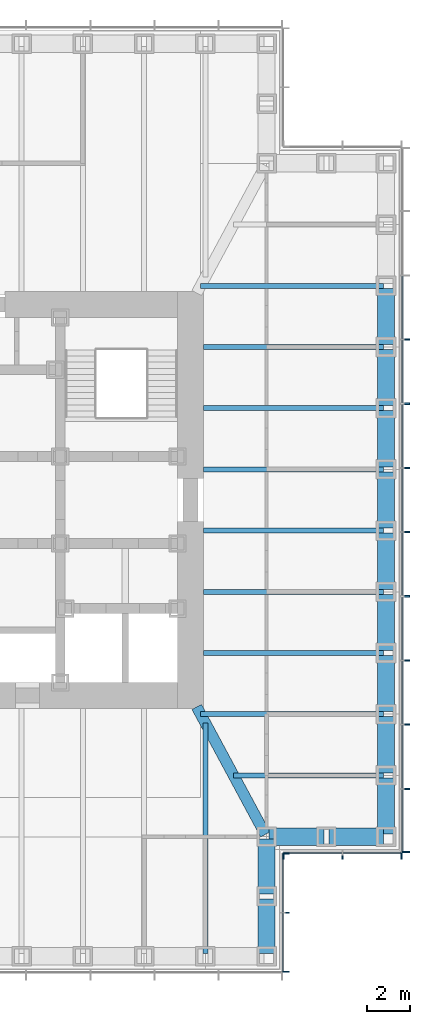
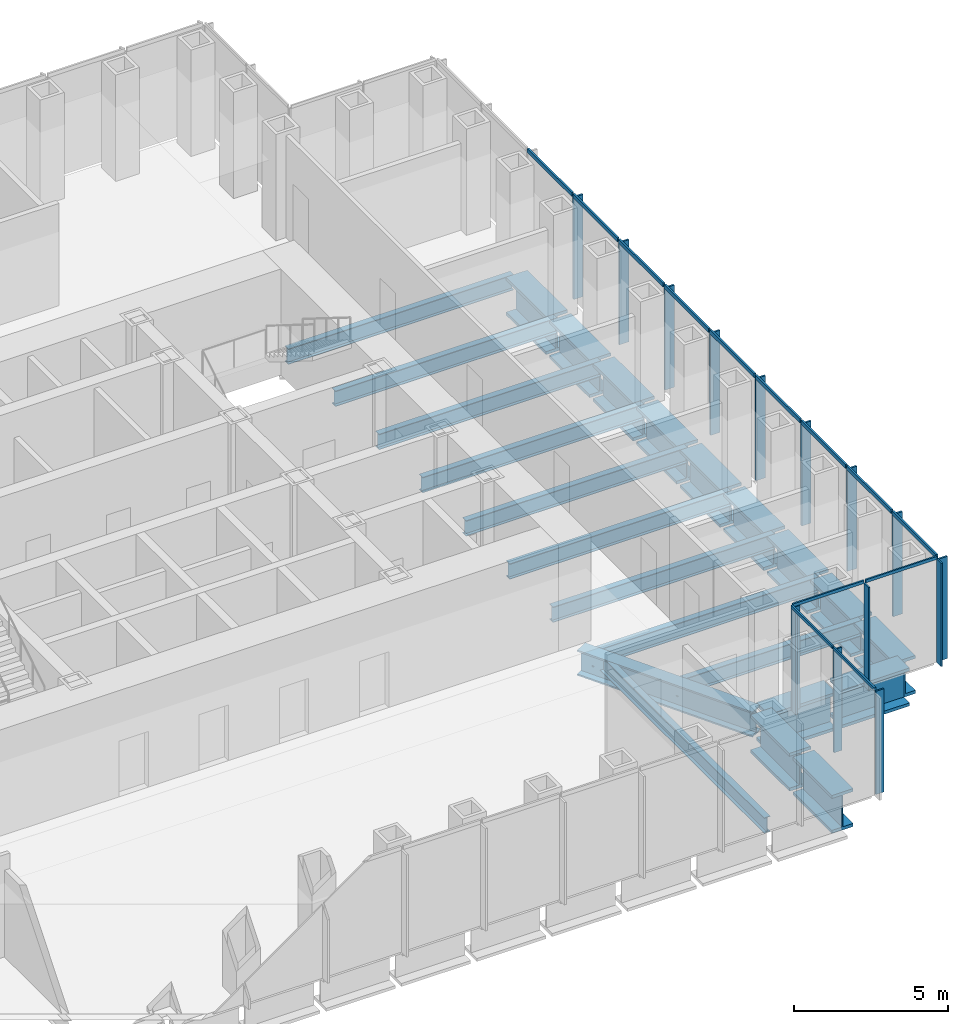
# One storey, part 4 of 17: 28 members, 24 beams, 3 elements without a shape of their own.
"""IFC4 building model written with IfcOpenShell, lengths in metres."""

from ifc_helpers import new_model, si_unit, direction, frame, origin, origin_2d, place, context, subcontext, project, spatial, rectangle, i_section, extrude, material, material_profile, profile_set, type_object, element, aggregate, save


model = new_model("IFC4")

# Units and contexts
model_context = context("Model", 3, precision=1e-05, world=origin(), true_north=direction((0.0, 1.0)))
body_context = subcontext(model_context, "Body", "Model", "MODEL_VIEW")
ifc_project = project(units=[si_unit("LENGTHUNIT", "METRE"), si_unit("AREAUNIT", "SQUARE_METRE"), si_unit("VOLUMEUNIT", "CUBIC_METRE"), si_unit("PLANEANGLEUNIT", "RADIAN"), si_unit("MASSUNIT", "GRAM", prefix="KILO")], contexts=[model_context])

# Site, building, storey
site_placement = place(None, origin())
site = spatial("IfcSite", under=ifc_project, at=site_placement, CompositionType="ELEMENT")
building_placement = place(site_placement, origin())
building = spatial("IfcBuilding", under=site, at=building_placement, Name="Daluyong Arena Tower", CompositionType="ELEMENT")
storey_placement = place(building_placement, frame((0.0, 0.0, 193.89990234375)))
storey = spatial("IfcBuildingStorey", under=building, at=storey_placement, Name="L43", CompositionType="ELEMENT", Elevation=193.89990234375)

# Curtain wall, members
ifc_material_1 = material(Name="Bronze anodised aluminium and glass", Category="aluminium")
curtain_wall_type_1 = type_object("IfcCurtainWallType", Name="Curtain wall CW3", PredefinedType="USERDEFINED", material=ifc_material_1)
curtain_wall_1_placement = place(storey_placement, origin())
curtain_wall_1 = element("IfcCurtainWall", 1, at=curtain_wall_1_placement, inside=storey, type_object=curtain_wall_type_1, Name="curtain wall L43 E", ObjectType="UNITISED CURTAIN WALL", PredefinedType="USERDEFINED")
ifc_material_2 = material(Name="Bronze anodised aluminium fin", Category="aluminium")
ifc_material_profile_1 = material_profile(ifc_material_2, rectangle(XDim=0.35009765625, YDim=0.070068359375, at=origin_2d()))
ifc_profile_set_1 = profile_set([ifc_material_profile_1], Name="Bronze anodised aluminium fin")
member_type_1 = type_object("IfcMemberType", Name="CW3 bronze fin 350x70", PredefinedType="MULLION", material=ifc_profile_set_1)
member_1_placement = place(storey_placement, frame((77.925048828125, 63.784912109375, 0.0), z_axis=(0.0, 0.0, 1.0), x_axis=(-1.0, 0.0, 0.0)))
member_1 = element("IfcMember", 2, at=member_1_placement, type_object=member_type_1, Name="curtain wall L43 E fin 1", PredefinedType="MULLION", context=body_context, shape_type="SweptSolid", body=[
    extrude(rectangle(XDim=0.35009765625, YDim=0.070068359375, at=origin_2d()), origin(), (0.0, 0.0, 1.0), 4.0400390625),
])
member_2_placement = place(storey_placement, frame((77.925048828125, 66.70458984375, 0.0), z_axis=(0.0, 0.0, 1.0), x_axis=(-1.0, 0.0, 0.0)))
member_2 = element("IfcMember", 3, at=member_2_placement, type_object=member_type_1, Name="curtain wall L43 E fin 2", PredefinedType="MULLION", context=body_context, shape_type="SweptSolid", body=[
    extrude(rectangle(XDim=0.35009765625, YDim=0.070068359375, at=origin_2d()), origin(), (0.0, 0.0, 1.0), 4.0400390625),
])
member_3_placement = place(storey_placement, frame((77.925048828125, 69.6591796875, 0.0), z_axis=(0.0, 0.0, 1.0), x_axis=(-1.0, 0.0, 0.0)))
member_3 = element("IfcMember", 4, at=member_3_placement, type_object=member_type_1, Name="curtain wall L43 E fin 3", PredefinedType="MULLION", context=body_context, shape_type="SweptSolid", body=[
    extrude(rectangle(XDim=0.35009765625, YDim=0.070068359375, at=origin_2d()), origin(), (0.0, 0.0, 1.0), 4.0400390625),
])
member_4_placement = place(storey_placement, frame((77.925048828125, 72.613525390625, 0.0), z_axis=(0.0, 0.0, 1.0), x_axis=(-1.0, 0.0, 0.0)))
member_4 = element("IfcMember", 5, at=member_4_placement, type_object=member_type_1, Name="curtain wall L43 E fin 4", PredefinedType="MULLION", context=body_context, shape_type="SweptSolid", body=[
    extrude(rectangle(XDim=0.35009765625, YDim=0.070068359375, at=origin_2d()), origin(), (0.0, 0.0, 1.0), 4.0400390625),
])
member_5_placement = place(storey_placement, frame((77.925048828125, 75.568115234375, 0.0), z_axis=(0.0, 0.0, 1.0), x_axis=(-1.0, 0.0, 0.0)))
member_5 = element("IfcMember", 6, at=member_5_placement, type_object=member_type_1, Name="curtain wall L43 E fin 5", PredefinedType="MULLION", context=body_context, shape_type="SweptSolid", body=[
    extrude(rectangle(XDim=0.35009765625, YDim=0.070068359375, at=origin_2d()), origin(), (0.0, 0.0, 1.0), 4.0400390625),
])
member_6_placement = place(storey_placement, frame((77.925048828125, 78.522705078125, 0.0), z_axis=(0.0, 0.0, 1.0), x_axis=(-1.0, 0.0, 0.0)))
member_6 = element("IfcMember", 7, at=member_6_placement, type_object=member_type_1, Name="curtain wall L43 E fin 6", PredefinedType="MULLION", context=body_context, shape_type="SweptSolid", body=[
    extrude(rectangle(XDim=0.35009765625, YDim=0.070068359375, at=origin_2d()), origin(), (0.0, 0.0, 1.0), 4.0400390625),
])
member_7_placement = place(storey_placement, frame((77.925048828125, 81.477294921875, 0.0), z_axis=(0.0, 0.0, 1.0), x_axis=(-1.0, 0.0, 0.0)))
member_7 = element("IfcMember", 8, at=member_7_placement, type_object=member_type_1, Name="curtain wall L43 E fin 7", PredefinedType="MULLION", context=body_context, shape_type="SweptSolid", body=[
    extrude(rectangle(XDim=0.35009765625, YDim=0.070068359375, at=origin_2d()), origin(), (0.0, 0.0, 1.0), 4.0400390625),
])
member_8_placement = place(storey_placement, frame((77.925048828125, 84.431884765625, 0.0), z_axis=(0.0, 0.0, 1.0), x_axis=(-1.0, 0.0, 0.0)))
member_8 = element("IfcMember", 9, at=member_8_placement, type_object=member_type_1, Name="curtain wall L43 E fin 8", PredefinedType="MULLION", context=body_context, shape_type="SweptSolid", body=[
    extrude(rectangle(XDim=0.35009765625, YDim=0.070068359375, at=origin_2d()), origin(), (0.0, 0.0, 1.0), 4.0400390625),
])
member_9_placement = place(storey_placement, frame((77.925048828125, 87.386474609375, 0.0), z_axis=(0.0, 0.0, 1.0), x_axis=(-1.0, 0.0, 0.0)))
member_9 = element("IfcMember", 10, at=member_9_placement, type_object=member_type_1, Name="curtain wall L43 E fin 9", PredefinedType="MULLION", context=body_context, shape_type="SweptSolid", body=[
    extrude(rectangle(XDim=0.35009765625, YDim=0.070068359375, at=origin_2d()), origin(), (0.0, 0.0, 1.0), 4.0400390625),
])
ifc_material_3 = material(Name="Bronze anodised aluminium", Category="aluminium")
ifc_material_profile_2 = material_profile(ifc_material_3, rectangle(XDim=0.070068359375, YDim=0.159912109375, at=origin_2d()))
ifc_profile_set_2 = profile_set([ifc_material_profile_2], Name="Bronze anodised aluminium")
member_type_2 = type_object("IfcMemberType", Name="CW3 stack transom 160x70", PredefinedType="USERDEFINED", material=ifc_profile_set_2)
member_10_placement = place(storey_placement, frame((77.75, 63.820068359375, 4.1201171875), z_axis=(0.0, 1.0, 0.0), x_axis=(-1.0, 0.0, 0.0)))
member_10 = element("IfcMember", 11, at=member_10_placement, type_object=member_type_2, Name="curtain wall L43 E transom 1", ObjectType="TRANSOM", PredefinedType="USERDEFINED", context=body_context, shape_type="SweptSolid", body=[
    extrude(rectangle(XDim=0.070068359375, YDim=0.159912109375, at=origin_2d()), origin(), (0.0, 0.0, 1.0), 2.849365234375),
])
member_11_placement = place(storey_placement, frame((77.75, 66.739501953125, 4.1201171875), z_axis=(0.0, 1.0, 0.0), x_axis=(-1.0, 0.0, 0.0)))
member_11 = element("IfcMember", 12, at=member_11_placement, type_object=member_type_2, Name="curtain wall L43 E transom 2", ObjectType="TRANSOM", PredefinedType="USERDEFINED", context=body_context, shape_type="SweptSolid", body=[
    extrude(rectangle(XDim=0.070068359375, YDim=0.159912109375, at=origin_2d()), origin(), (0.0, 0.0, 1.0), 2.884521484375),
])
member_12_placement = place(storey_placement, frame((77.75, 69.694091796875, 4.1201171875), z_axis=(0.0, 1.0, 0.0), x_axis=(-1.0, 0.0, 0.0)))
member_12 = element("IfcMember", 13, at=member_12_placement, type_object=member_type_2, Name="curtain wall L43 E transom 3", ObjectType="TRANSOM", PredefinedType="USERDEFINED", context=body_context, shape_type="SweptSolid", body=[
    extrude(rectangle(XDim=0.070068359375, YDim=0.159912109375, at=origin_2d()), origin(), (0.0, 0.0, 1.0), 2.884521484375),
])
member_13_placement = place(storey_placement, frame((77.75, 72.648681640625, 4.1201171875), z_axis=(0.0, 1.0, 0.0), x_axis=(-1.0, 0.0, 0.0)))
member_13 = element("IfcMember", 14, at=member_13_placement, type_object=member_type_2, Name="curtain wall L43 E transom 4", ObjectType="TRANSOM", PredefinedType="USERDEFINED", context=body_context, shape_type="SweptSolid", body=[
    extrude(rectangle(XDim=0.070068359375, YDim=0.159912109375, at=origin_2d()), origin(), (0.0, 0.0, 1.0), 2.884521484375),
])
member_14_placement = place(storey_placement, frame((77.75, 75.603271484375, 4.1201171875), z_axis=(0.0, 1.0, 0.0), x_axis=(-1.0, 0.0, 0.0)))
member_14 = element("IfcMember", 15, at=member_14_placement, type_object=member_type_2, Name="curtain wall L43 E transom 5", ObjectType="TRANSOM", PredefinedType="USERDEFINED", context=body_context, shape_type="SweptSolid", body=[
    extrude(rectangle(XDim=0.070068359375, YDim=0.159912109375, at=origin_2d()), origin(), (0.0, 0.0, 1.0), 2.884521484375),
])
member_15_placement = place(storey_placement, frame((77.75, 78.5576171875, 4.1201171875), z_axis=(0.0, 1.0, 0.0), x_axis=(-1.0, 0.0, 0.0)))
member_15 = element("IfcMember", 16, at=member_15_placement, type_object=member_type_2, Name="curtain wall L43 E transom 6", ObjectType="TRANSOM", PredefinedType="USERDEFINED", context=body_context, shape_type="SweptSolid", body=[
    extrude(rectangle(XDim=0.070068359375, YDim=0.159912109375, at=origin_2d()), origin(), (0.0, 0.0, 1.0), 2.884765625),
])
member_16_placement = place(storey_placement, frame((77.75, 81.51220703125, 4.1201171875), z_axis=(0.0, 1.0, 0.0), x_axis=(-1.0, 0.0, 0.0)))
member_16 = element("IfcMember", 17, at=member_16_placement, type_object=member_type_2, Name="curtain wall L43 E transom 7", ObjectType="TRANSOM", PredefinedType="USERDEFINED", context=body_context, shape_type="SweptSolid", body=[
    extrude(rectangle(XDim=0.070068359375, YDim=0.159912109375, at=origin_2d()), origin(), (0.0, 0.0, 1.0), 2.884521484375),
])
member_17_placement = place(storey_placement, frame((77.75, 84.466796875, 4.1201171875), z_axis=(0.0, 1.0, 0.0), x_axis=(-1.0, 0.0, 0.0)))
member_17 = element("IfcMember", 18, at=member_17_placement, type_object=member_type_2, Name="curtain wall L43 E transom 8", ObjectType="TRANSOM", PredefinedType="USERDEFINED", context=body_context, shape_type="SweptSolid", body=[
    extrude(rectangle(XDim=0.070068359375, YDim=0.159912109375, at=origin_2d()), origin(), (0.0, 0.0, 1.0), 2.884521484375),
])
member_18_placement = place(storey_placement, frame((77.75, 87.42138671875, 4.1201171875), z_axis=(0.0, 1.0, 0.0), x_axis=(-1.0, 0.0, 0.0)))
member_18 = element("IfcMember", 19, at=member_18_placement, type_object=member_type_2, Name="curtain wall L43 E transom 9", ObjectType="TRANSOM", PredefinedType="USERDEFINED", context=body_context, shape_type="SweptSolid", body=[
    extrude(rectangle(XDim=0.070068359375, YDim=0.159912109375, at=origin_2d()), origin(), (0.0, 0.0, 1.0), 2.884521484375),
])
aggregate(curtain_wall_1, [member_1, member_2, member_3, member_4, member_5, member_6, member_7, member_8, member_9, member_10, member_11, member_12, member_13, member_14, member_15, member_16, member_17, member_18])

ifc_material_4 = material(Name="Bronze anodised aluminium and glass", Category="aluminium")
curtain_wall_type_2 = type_object("IfcCurtainWallType", Name="Curtain wall CW7", PredefinedType="USERDEFINED", material=ifc_material_4)
curtain_wall_2_placement = place(storey_placement, origin())
curtain_wall_2 = element("IfcCurtainWall", 20, at=curtain_wall_2_placement, inside=storey, type_object=curtain_wall_type_2, Name="curtain wall L43 SE-E", ObjectType="UNITISED CURTAIN WALL", PredefinedType="USERDEFINED")
ifc_material_5 = material(Name="Bronze anodised aluminium fin", Category="aluminium")
ifc_material_profile_3 = material_profile(ifc_material_5, rectangle(XDim=0.300048828125, YDim=0.06005859375, at=origin_2d()))
ifc_profile_set_3 = profile_set([ifc_material_profile_3], Name="Bronze anodised aluminium fin")
member_type_3 = type_object("IfcMemberType", Name="CW7 bronze fin 300x60", PredefinedType="MULLION", material=ifc_profile_set_3)
member_19_placement = place(storey_placement, frame((72.39990234375, 58.280029296875, 0.0), z_axis=(0.0, 0.0, 1.0), x_axis=(-1.0, 0.0, 0.0)))
member_19 = element("IfcMember", 21, at=member_19_placement, type_object=member_type_3, Name="curtain wall L43 SE-E fin 1", PredefinedType="MULLION", context=body_context, shape_type="SweptSolid", body=[
    extrude(rectangle(XDim=0.300048828125, YDim=0.06005859375, at=origin_2d()), origin(), (0.0, 0.0, 1.0), 4.080078125),
])
member_20_placement = place(storey_placement, frame((72.39990234375, 61.0, 0.0), z_axis=(0.0, 0.0, 1.0), x_axis=(-1.0, 0.0, 0.0)))
member_20 = element("IfcMember", 22, at=member_20_placement, type_object=member_type_3, Name="curtain wall L43 SE-E fin 2", PredefinedType="MULLION", context=body_context, shape_type="SweptSolid", body=[
    extrude(rectangle(XDim=0.300048828125, YDim=0.06005859375, at=origin_2d()), origin(), (0.0, 0.0, 1.0), 4.080078125),
])
member_21_placement = place(storey_placement, frame((72.39990234375, 63.719970703125, 0.0), z_axis=(0.0, 0.0, 1.0), x_axis=(-1.0, 0.0, 0.0)))
member_21 = element("IfcMember", 23, at=member_21_placement, type_object=member_type_3, Name="curtain wall L43 SE-E fin 3", PredefinedType="MULLION", context=body_context, shape_type="SweptSolid", body=[
    extrude(rectangle(XDim=0.300048828125, YDim=0.06005859375, at=origin_2d()), origin(), (0.0, 0.0, 1.0), 4.080078125),
])

curtain_wall_3_placement = place(storey_placement, origin())
curtain_wall_3 = element("IfcCurtainWall", 24, at=curtain_wall_3_placement, inside=storey, type_object=curtain_wall_type_2, Name="curtain wall L43 SE-S", ObjectType="UNITISED CURTAIN WALL", PredefinedType="USERDEFINED")
member_22_placement = place(storey_placement, frame((72.280029296875, 63.60009765625, 0.0), z_axis=(0.0, 0.0, 1.0), x_axis=(0.0, 1.0, 0.0)))
member_22 = element("IfcMember", 25, at=member_22_placement, type_object=member_type_3, Name="curtain wall L43 SE-S fin 1", PredefinedType="MULLION", context=body_context, shape_type="SweptSolid", body=[
    extrude(rectangle(XDim=0.300048828125, YDim=0.06005859375, at=origin_2d()), origin(), (0.0, 0.0, 1.0), 4.080078125),
])
member_23_placement = place(storey_placement, frame((75.0, 63.60009765625, 0.0), z_axis=(0.0, 0.0, 1.0), x_axis=(0.0, 1.0, 0.0)))
member_23 = element("IfcMember", 26, at=member_23_placement, type_object=member_type_3, Name="curtain wall L43 SE-S fin 2", PredefinedType="MULLION", context=body_context, shape_type="SweptSolid", body=[
    extrude(rectangle(XDim=0.300048828125, YDim=0.06005859375, at=origin_2d()), origin(), (0.0, 0.0, 1.0), 4.080078125),
])
member_24_placement = place(storey_placement, frame((77.719970703125, 63.60009765625, 0.0), z_axis=(0.0, 0.0, 1.0), x_axis=(0.0, 1.0, 0.0)))
member_24 = element("IfcMember", 27, at=member_24_placement, type_object=member_type_3, Name="curtain wall L43 SE-S fin 3", PredefinedType="MULLION", context=body_context, shape_type="SweptSolid", body=[
    extrude(rectangle(XDim=0.300048828125, YDim=0.06005859375, at=origin_2d()), origin(), (0.0, 0.0, 1.0), 4.080078125),
])

# Member
ifc_material_6 = material(Name="Bronze anodised aluminium", Category="aluminium")
ifc_material_profile_4 = material_profile(ifc_material_6, rectangle(XDim=0.06005859375, YDim=0.1201171875, at=origin_2d()))
ifc_profile_set_4 = profile_set([ifc_material_profile_4], Name="Bronze anodised aluminium")
member_type_4 = type_object("IfcMemberType", Name="CW7 stack transom 120x60", PredefinedType="USERDEFINED", material=ifc_profile_set_4)
member_25_placement = place(storey_placement, frame((72.25, 58.31005859375, 4.14013671875), z_axis=(0.0, 1.0, 0.0), x_axis=(-1.0, 0.0, 0.0)))
member_25 = element("IfcMember", 28, at=member_25_placement, type_object=member_type_4, Name="curtain wall L43 SE-E transom 1", ObjectType="TRANSOM", PredefinedType="USERDEFINED", context=body_context, shape_type="SweptSolid", body=[
    extrude(rectangle(XDim=0.06005859375, YDim=0.1201171875, at=origin_2d()), origin(), (0.0, 0.0, 1.0), 2.659912109375),
])

member_26_placement = place(storey_placement, frame((72.25, 61.030029296875, 4.14013671875), z_axis=(0.0, 1.0, 0.0), x_axis=(-1.0, 0.0, 0.0)))
member_26 = element("IfcMember", 29, at=member_26_placement, type_object=member_type_4, Name="curtain wall L43 SE-E transom 2", ObjectType="TRANSOM", PredefinedType="USERDEFINED", context=body_context, shape_type="SweptSolid", body=[
    extrude(rectangle(XDim=0.06005859375, YDim=0.1201171875, at=origin_2d()), origin(), (0.0, 0.0, 1.0), 2.659912109375),
])

aggregate(curtain_wall_2, [member_19, member_20, member_21, member_25, member_26])

member_27_placement = place(storey_placement, frame((72.31005859375, 63.75, 4.14013671875), z_axis=(1.0, 0.0, 0.0), x_axis=(0.0, 1.0, 0.0)))
member_27 = element("IfcMember", 30, at=member_27_placement, type_object=member_type_4, Name="curtain wall L43 SE-S transom 1", ObjectType="TRANSOM", PredefinedType="USERDEFINED", context=body_context, shape_type="SweptSolid", body=[
    extrude(rectangle(XDim=0.06005859375, YDim=0.1201171875, at=origin_2d()), origin(), (0.0, 0.0, 1.0), 2.659912109375),
])

member_28_placement = place(storey_placement, frame((75.030029296875, 63.75, 4.14013671875), z_axis=(1.0, 0.0, 0.0), x_axis=(0.0, 1.0, 0.0)))
member_28 = element("IfcMember", 31, at=member_28_placement, type_object=member_type_4, Name="curtain wall L43 SE-S transom 2", ObjectType="TRANSOM", PredefinedType="USERDEFINED", context=body_context, shape_type="SweptSolid", body=[
    extrude(rectangle(XDim=0.06005859375, YDim=0.1201171875, at=origin_2d()), origin(), (0.0, 0.0, 1.0), 2.659912109375),
])

aggregate(curtain_wall_3, [member_22, member_23, member_24, member_27, member_28])

# Beams
ifc_material_7 = material(Name="Steel ASTM A572 Grade 50", Category="steel")
ifc_material_profile_5 = material_profile(ifc_material_7, i_section(OverallWidth=0.5, OverallDepth=1.0, WebThickness=0.03, FlangeThickness=0.06, at=origin_2d()))
ifc_profile_set_5 = profile_set([ifc_material_profile_5], Name="Steel ASTM A572 Grade 50")
beam_type_1 = type_object("IfcBeamType", Name="Corner girder TB1000X500", PredefinedType="BEAM", material=ifc_profile_set_5)
beam_1_placement = place(storey_placement, frame((71.445556640625, 64.601318359375, -0.659912109375), z_axis=(-0.474119475266, 0.880460517669, 0.0), x_axis=(-0.880460517669, -0.474119475266, 0.0)))
element("IfcBeam", 32, at=beam_1_placement, inside=storey, type_object=beam_type_1, Name="corner girder DG2", PredefinedType="BEAM", context=body_context, shape_type="SweptSolid", body=[
    extrude(i_section(OverallWidth=0.5, OverallDepth=1.0, WebThickness=0.03, FlangeThickness=0.06, at=origin_2d()), origin(), (0.0, 0.0, 1.0), 6.66748046875),
])
ifc_material_8 = material(Name="Steel ASTM A992 Grade 50", Category="steel")
ifc_material_profile_6 = material_profile(ifc_material_8, i_section(OverallWidth=0.22900390625, OverallDepth=0.612060546875, WebThickness=0.011962890625, FlangeThickness=0.01953125, at=origin_2d()))
ifc_profile_set_6 = profile_set([ifc_material_profile_6], Name="Steel ASTM A992 Grade 50")
beam_type_2 = type_object("IfcBeamType", Name="Floor beam W24X84", PredefinedType="BEAM", material=ifc_profile_set_6)
beam_2_placement = place(storey_placement, frame((68.681884765625, 59.114990234375, -0.466064453125), z_axis=(0.0, 1.0, 0.0), x_axis=(-1.0, 0.0, 0.0)))
element("IfcBeam", 33, at=beam_2_placement, inside=storey, type_object=beam_type_2, Name="floor beam FB3", PredefinedType="BEAM", context=body_context, shape_type="SweptSolid", body=[
    extrude(i_section(OverallWidth=0.22900390625, OverallDepth=0.612060546875, WebThickness=0.011962890625, FlangeThickness=0.01953125, at=origin_2d()), origin(), (0.0, 0.0, 1.0), 10.618896484375),
])
beam_3_placement = place(storey_placement, frame((76.885009765625, 67.318115234375, -0.466064453125), z_axis=(-1.0, 0.0, 0.0), x_axis=(0.0, -1.0, 0.0)))
element("IfcBeam", 34, at=beam_3_placement, inside=storey, type_object=beam_type_2, Name="floor beam FB3", PredefinedType="BEAM", context=body_context, shape_type="SweptSolid", body=[
    extrude(i_section(OverallWidth=0.22900390625, OverallDepth=0.612060546875, WebThickness=0.011962890625, FlangeThickness=0.01953125, at=origin_2d()), origin(), (0.0, 0.0, 1.0), 6.902587890625),
])
beam_4_placement = place(storey_placement, frame((76.885009765625, 70.136474609375, -0.466064453125), z_axis=(-1.0, 0.0, 0.0), x_axis=(0.0, -1.0, 0.0)))
element("IfcBeam", 35, at=beam_4_placement, inside=storey, type_object=beam_type_2, Name="floor beam FB3", PredefinedType="BEAM", context=body_context, shape_type="SweptSolid", body=[
    extrude(i_section(OverallWidth=0.22900390625, OverallDepth=0.612060546875, WebThickness=0.011962890625, FlangeThickness=0.01953125, at=origin_2d()), origin(), (0.0, 0.0, 1.0), 8.419921875),
])
for number, where, z_axis, x_axis, name in (
    (36, (76.885009765625, 72.95458984375, -0.466064453125), (-1.0, 0.0, 0.0), (0.0, -1.0, 0.0), "floor beam FB3"),
    (37, (76.885009765625, 75.772705078125, -0.466064453125), (-1.0, 0.0, 0.0), (0.0, -1.0, 0.0), "floor beam FB3"),
    (38, (76.885009765625, 78.5908203125, -0.466064453125), (-1.0, 0.0, 0.0), (0.0, -1.0, 0.0), "floor beam FB3"),
    (39, (76.885009765625, 81.4091796875, -0.466064453125), (-1.0, 0.0, 0.0), (0.0, -1.0, 0.0), "floor beam FB3"),
    (40, (76.885009765625, 84.227294921875, -0.466064453125), (-1.0, 0.0, 0.0), (0.0, -1.0, 0.0), "floor beam FB3"),
    (41, (76.885009765625, 87.04541015625, -0.466064453125), (-1.0, 0.0, 0.0), (0.0, -1.0, 0.0), "floor beam FB3"),
):
    element("IfcBeam", number, at=place(storey_placement, frame(where, z_axis=z_axis, x_axis=x_axis)), inside=storey, type_object=beam_type_2, Name=name, PredefinedType="BEAM", context=body_context, shape_type="SweptSolid", body=[
        extrude(i_section(OverallWidth=0.22900390625, OverallDepth=0.612060546875, WebThickness=0.011962890625, FlangeThickness=0.01953125, at=origin_2d()), origin(), (0.0, 0.0, 1.0), 8.284912109375),
    ])
beam_5_placement = place(storey_placement, frame((76.885009765625, 89.863525390625, -0.466064453125), z_axis=(-1.0, 0.0, 0.0), x_axis=(0.0, -1.0, 0.0)))
element("IfcBeam", 42, at=beam_5_placement, inside=storey, type_object=beam_type_2, Name="floor beam FB3", PredefinedType="BEAM", context=body_context, shape_type="SweptSolid", body=[
    extrude(i_section(OverallWidth=0.22900390625, OverallDepth=0.612060546875, WebThickness=0.011962890625, FlangeThickness=0.01953125, at=origin_2d()), origin(), (0.0, 0.0, 1.0), 8.419921875),
])
ifc_material_9 = material(Name="Steel ASTM A588 Grade 50", Category="steel")
ifc_material_profile_7 = material_profile(ifc_material_9, i_section(OverallWidth=0.800048828125, OverallDepth=1.5, WebThickness=0.05, FlangeThickness=0.12, at=origin_2d()))
ifc_profile_set_7 = profile_set([ifc_material_profile_7], Name="Steel ASTM A588 Grade 50")
beam_type_3 = type_object("IfcBeamType", Name="Spandrel Z3 PG1500X800", PredefinedType="SPANDREL", material=ifc_profile_set_7)
for number, where, z_axis, x_axis, name in (
    (43, (71.5, 59.114990234375, -0.909912109375), (0.0, 1.0, 0.0), (-1.0, 0.0, 0.0), "spandrel z3 SB7"),
    (44, (71.5, 61.864990234375, -0.909912109375), (0.0, 1.0, 0.0), (-1.0, 0.0, 0.0), "spandrel z3 SB7"),
    (45, (71.614990234375, 64.5, -0.909912109375), (1.0, 0.0, 0.0), (0.0, 1.0, 0.0), "spandrel z3 SB7"),
    (46, (74.364990234375, 64.5, -0.909912109375), (1.0, 0.0, 0.0), (0.0, 1.0, 0.0), "spandrel z3 SB7"),
):
    element("IfcBeam", number, at=place(storey_placement, frame(where, z_axis=z_axis, x_axis=x_axis)), inside=storey, type_object=beam_type_3, Name=name, PredefinedType="SPANDREL", context=body_context, shape_type="SweptSolid", body=[
        extrude(i_section(OverallWidth=0.800048828125, OverallDepth=1.5, WebThickness=0.05, FlangeThickness=0.12, at=origin_2d()), origin(), (0.0, 0.0, 1.0), 2.52001953125),
    ])
beam_6_placement = place(storey_placement, frame((77.0, 64.614990234375, -0.909912109375), z_axis=(0.0, 1.0, 0.0), x_axis=(-1.0, 0.0, 0.0)))
element("IfcBeam", 47, at=beam_6_placement, inside=storey, type_object=beam_type_3, Name="spandrel z3 SB7", PredefinedType="SPANDREL", context=body_context, shape_type="SweptSolid", body=[
    extrude(i_section(OverallWidth=0.800048828125, OverallDepth=1.5, WebThickness=0.05, FlangeThickness=0.12, at=origin_2d()), origin(), (0.0, 0.0, 1.0), 2.588134765625),
])
beam_7_placement = place(storey_placement, frame((77.0, 67.43310546875, -0.909912109375), z_axis=(0.0, 1.0, 0.0), x_axis=(-1.0, 0.0, 0.0)))
element("IfcBeam", 48, at=beam_7_placement, inside=storey, type_object=beam_type_3, Name="spandrel z3 SB7", PredefinedType="SPANDREL", context=body_context, shape_type="SweptSolid", body=[
    extrude(i_section(OverallWidth=0.800048828125, OverallDepth=1.5, WebThickness=0.05, FlangeThickness=0.12, at=origin_2d()), origin(), (0.0, 0.0, 1.0), 2.58837890625),
])
for number, where, z_axis, x_axis, name in (
    (49, (77.0, 70.25146484375, -0.909912109375), (0.0, 1.0, 0.0), (-1.0, 0.0, 0.0), "spandrel z3 SB7"),
    (50, (77.0, 73.069580078125, -0.909912109375), (0.0, 1.0, 0.0), (-1.0, 0.0, 0.0), "spandrel z3 SB7"),
    (51, (77.0, 75.8876953125, -0.909912109375), (0.0, 1.0, 0.0), (-1.0, 0.0, 0.0), "spandrel z3 SB7"),
):
    element("IfcBeam", number, at=place(storey_placement, frame(where, z_axis=z_axis, x_axis=x_axis)), inside=storey, type_object=beam_type_3, Name=name, PredefinedType="SPANDREL", context=body_context, shape_type="SweptSolid", body=[
        extrude(i_section(OverallWidth=0.800048828125, OverallDepth=1.5, WebThickness=0.05, FlangeThickness=0.12, at=origin_2d()), origin(), (0.0, 0.0, 1.0), 2.588134765625),
    ])
beam_8_placement = place(storey_placement, frame((77.0, 78.705810546875, -0.909912109375), z_axis=(0.0, 1.0, 0.0), x_axis=(-1.0, 0.0, 0.0)))
element("IfcBeam", 52, at=beam_8_placement, inside=storey, type_object=beam_type_3, Name="spandrel z3 SB7", PredefinedType="SPANDREL", context=body_context, shape_type="SweptSolid", body=[
    extrude(i_section(OverallWidth=0.800048828125, OverallDepth=1.5, WebThickness=0.05, FlangeThickness=0.12, at=origin_2d()), origin(), (0.0, 0.0, 1.0), 2.58837890625),
])
for number, where, z_axis, x_axis, name in (
    (53, (77.0, 81.524169921875, -0.909912109375), (0.0, 1.0, 0.0), (-1.0, 0.0, 0.0), "spandrel z3 SB7"),
    (54, (77.0, 84.34228515625, -0.909912109375), (0.0, 1.0, 0.0), (-1.0, 0.0, 0.0), "spandrel z3 SB7"),
    (55, (77.0, 87.160400390625, -0.909912109375), (0.0, 1.0, 0.0), (-1.0, 0.0, 0.0), "spandrel z3 SB7"),
):
    element("IfcBeam", number, at=place(storey_placement, frame(where, z_axis=z_axis, x_axis=x_axis)), inside=storey, type_object=beam_type_3, Name=name, PredefinedType="SPANDREL", context=body_context, shape_type="SweptSolid", body=[
        extrude(i_section(OverallWidth=0.800048828125, OverallDepth=1.5, WebThickness=0.05, FlangeThickness=0.12, at=origin_2d()), origin(), (0.0, 0.0, 1.0), 2.588134765625),
    ])

save(model, "model.ifc")
